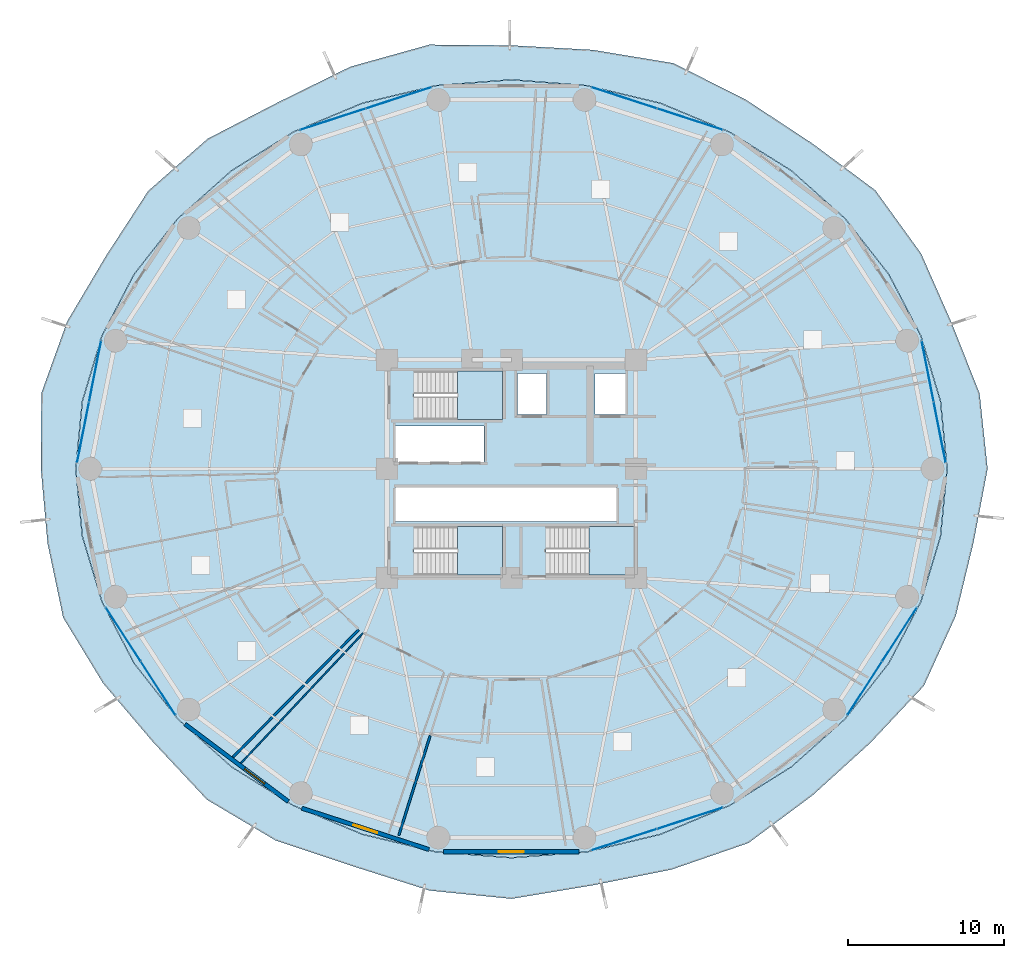
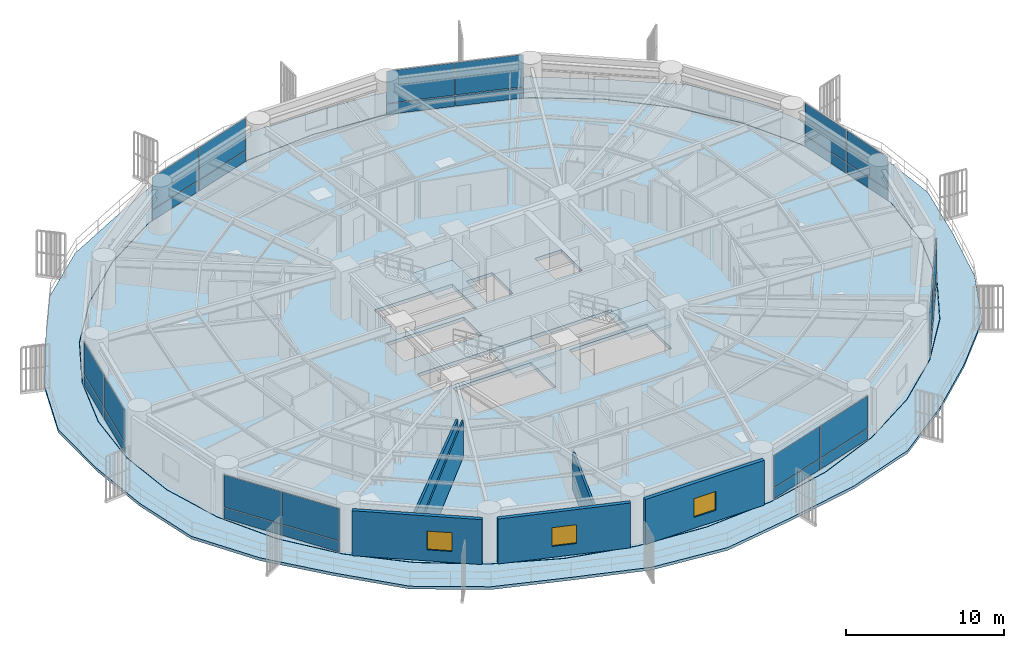
# One storey, part 22 of 33: 28 plates, 6 walls, 5 slabs, 3 windows, 3 openings, 10 elements without a shape of their own.
"""IFC4 building model written with IfcOpenShell, lengths in metres."""

from ifc_helpers import new_model, si_unit, direction, frame, frame_2d, origin, origin_2d, place, context, subcontext, project, spatial, polyline, rectangle, outline, extrude, source, transform, mapped, material, layer, layer_set, type_object, element, fill, aggregate, save


model = new_model("IFC4")

# Units and contexts
model_context = context("Model", 3, precision=1e-05, world=origin(), true_north=direction((0.0, 1.0)))
body_context = subcontext(model_context, "Body", "Model", "MODEL_VIEW")
ifc_project = project(units=[si_unit("LENGTHUNIT", "METRE"), si_unit("AREAUNIT", "SQUARE_METRE"), si_unit("VOLUMEUNIT", "CUBIC_METRE"), si_unit("PLANEANGLEUNIT", "RADIAN"), si_unit("MASSUNIT", "GRAM", prefix="KILO")], contexts=[model_context])

# Site, building, storey
site_placement = place(None, origin())
site = spatial("IfcSite", under=ifc_project, at=site_placement, CompositionType="ELEMENT")
building_placement = place(site_placement, origin())
building = spatial("IfcBuilding", under=site, at=building_placement, Name="Kelanora Arch Commons", CompositionType="ELEMENT")
storey_placement = place(building_placement, frame((0.0, 0.0, 41.25)))
storey = spatial("IfcBuildingStorey", under=building, at=storey_placement, Name="L10", CompositionType="ELEMENT", Elevation=41.25)

# Stair, slab
ifc_material_1 = material(Name="Concrete C40/50", Category="concrete")
stair_type = type_object("IfcStairType", Name="STR-DL-375", PredefinedType="HALF_TURN_STAIR", material=ifc_material_1)
stair_1_placement = place(storey_placement, origin())
stair_1 = element("IfcStair", 1, at=stair_1_placement, inside=storey, type_object=stair_type, Name="L10 ST-T1", PredefinedType="HALF_TURN_STAIR")
ifc_layer_1 = layer(ifc_material_1, 0.199951171875)
ifc_layer_set_1 = layer_set([ifc_layer_1], Name="Concrete C40/50")
slab_type_1 = type_object("IfcSlabType", Name="SLB-STAIR-LND", PredefinedType="LANDING", material=ifc_layer_set_1)
slab_1_placement = place(storey_placement, frame((0.0, 0.0, 1.675048828125)))
slab_1 = element("IfcSlab", 2, at=slab_1_placement, type_object=slab_type_1, Name="ST-T1 landing 1", PredefinedType="LANDING", context=body_context, shape_type="SweptSolid", body=[
    extrude(outline(polyline([(70.52001953125, 61.179931640625), (73.43994140625, 61.179931640625), (73.43994140625, 64.2900390625), (70.52001953125, 64.2900390625), (70.52001953125, 61.179931640625)])), origin(), (0.0, 0.0, 1.0), 0.199951171875),
])
aggregate(stair_1, [slab_1])

stair_2_placement = place(storey_placement, origin())
stair_2 = element("IfcStair", 3, at=stair_2_placement, inside=storey, type_object=stair_type, Name="L10 ST-T2", PredefinedType="HALF_TURN_STAIR")
slab_2_placement = place(storey_placement, frame((0.0, 0.0, 1.675048828125)))
slab_2 = element("IfcSlab", 4, at=slab_2_placement, type_object=slab_type_1, Name="ST-T2 landing 1", PredefinedType="LANDING", context=body_context, shape_type="SweptSolid", body=[
    extrude(outline(polyline([(79.0, 51.179931640625), (81.919921875, 51.179931640625), (81.919921875, 54.2900390625), (79.0, 54.2900390625), (79.0, 51.179931640625)])), origin(), (0.0, 0.0, 1.0), 0.199951171875),
])
aggregate(stair_2, [slab_2])

stair_3_placement = place(storey_placement, origin())
stair_3 = element("IfcStair", 5, at=stair_3_placement, inside=storey, type_object=stair_type, Name="L10 ST-T3", PredefinedType="HALF_TURN_STAIR")
slab_3_placement = place(storey_placement, frame((0.0, 0.0, 1.675048828125)))
slab_3 = element("IfcSlab", 6, at=slab_3_placement, type_object=slab_type_1, Name="ST-T3 landing 1", PredefinedType="LANDING", context=body_context, shape_type="SweptSolid", body=[
    extrude(outline(polyline([(70.52001953125, 51.179931640625), (73.43994140625, 51.179931640625), (73.43994140625, 54.2900390625), (70.52001953125, 54.2900390625), (70.52001953125, 51.179931640625)])), origin(), (0.0, 0.0, 1.0), 0.199951171875),
])
aggregate(stair_3, [slab_3])

# Slabs
ifc_layer_2 = layer(ifc_material_1, 0.260009765625)
ifc_layer_set_2 = layer_set([ifc_layer_2], Name="Concrete C40/50")
slab_type_2 = type_object("IfcSlabType", Name="SLB-TWR-TYP", PredefinedType="FLOOR", material=ifc_layer_set_2)
slab_4_placement = place(storey_placement, frame((0.0, 0.0, -0.260009765625)))
element("IfcSlab", 7, at=slab_4_placement, inside=storey, type_object=slab_type_2, Name="Tower Floor Slab L10", PredefinedType="FLOOR", context=body_context, shape_type="SweptSolid", body=[
    extrude(outline(polyline([(102.0, 58.0), (101.57470703125, 62.34130859375), (100.311279296875, 66.550537109375), (98.248779296875, 70.5), (95.44921875, 74.069580078125), (91.998046875, 77.151123046875), (88.0, 79.650634765625), (83.57666015625, 81.4921875), (78.862060546875, 82.6201171875), (74.0, 83.0), (69.137939453125, 82.6201171875), (64.42333984375, 81.4921875), (60.0, 79.650634765625), (56.001953125, 77.151123046875), (52.55078125, 74.069580078125), (49.751220703125, 70.5), (47.688720703125, 66.550537109375), (46.42529296875, 62.34130859375), (46.0, 58.0), (46.42529296875, 53.65869140625), (47.688720703125, 49.449462890625), (49.751220703125, 45.5), (52.55078125, 41.930419921875), (56.001953125, 38.848876953125), (60.0, 36.349365234375), (64.42333984375, 34.5078125), (69.137939453125, 33.3798828125), (74.0, 33.0), (78.862060546875, 33.3798828125), (83.57666015625, 34.5078125), (88.0, 36.349365234375), (91.998046875, 38.848876953125), (95.44921875, 41.930419921875), (98.248779296875, 45.5), (100.311279296875, 49.449462890625), (101.57470703125, 53.65869140625), (102.0, 58.0)]), holes=[polyline([(73.431884765625, 51.18798828125), (67.72802734375, 51.18798828125), (67.72802734375, 54.281982421875), (73.431884765625, 54.281982421875), (73.431884765625, 51.18798828125)]), polyline([(76.2080078125, 51.18798828125), (76.2080078125, 54.281982421875), (81.912109375, 54.281982421875), (81.912109375, 51.18798828125), (76.2080078125, 51.18798828125)]), polyline([(66.550048828125, 54.60009765625), (66.550048828125, 56.800048828125), (80.75, 56.800048828125), (80.75, 54.60009765625), (66.550048828125, 54.60009765625)]), polyline([(66.550048828125, 58.449951171875), (66.550048828125, 60.75), (72.25, 60.75), (72.25, 58.449951171875), (66.550048828125, 58.449951171875)]), polyline([(67.72802734375, 61.18798828125), (67.72802734375, 64.281982421875), (73.431884765625, 64.281982421875), (73.431884765625, 61.18798828125), (67.72802734375, 61.18798828125)]), polyline([(74.3798828125, 61.47998046875), (74.3798828125, 64.1201171875), (76.260009765625, 64.1201171875), (76.260009765625, 61.47998046875), (74.3798828125, 61.47998046875)]), polyline([(79.3798828125, 61.47998046875), (79.3798828125, 64.1201171875), (81.320068359375, 64.1201171875), (81.320068359375, 61.47998046875), (79.3798828125, 61.47998046875)])]), origin(), (0.0, 0.0, 1.0), 0.260009765625),
])
ifc_layer_3 = layer(ifc_material_1, 0.219970703125)
ifc_layer_set_3 = layer_set([ifc_layer_3], Name="Concrete C40/50")
slab_type_3 = type_object("IfcSlabType", Name="SLB-WAVE-BAL", PredefinedType="FLOOR", material=ifc_layer_set_3)
slab_5_placement = place(storey_placement, frame((0.0, 0.0, -0.219970703125)))
element("IfcSlab", 8, at=slab_5_placement, inside=storey, type_object=slab_type_3, Name="Sinusoidal Wave Balcony Slab L10", PredefinedType="FLOOR", context=body_context, shape_type="SweptSolid", body=[
    extrude(outline(polyline([(104.612548828125, 58.0), (104.098388671875, 62.839599609375), (102.30859375, 67.364501953125), (100.332275390625, 71.84716796875), (97.3984375, 75.901611328125), (93.327880859375, 78.92626953125), (89.07080078125, 81.7275390625), (84.414794921875, 84.072021484375), (79.2255859375, 84.928466796875), (74.0, 85.218017578125), (68.7216796875, 85.2626953125), (63.656494140625, 83.85205078125), (59.01171875, 81.567626953125), (54.45947265625, 79.2099609375), (50.64697265625, 75.85888671875), (47.9296875, 71.677978515625), (45.43603515625, 67.46875), (43.78076171875, 62.863525390625), (43.74755859375, 58.0), (44.17626953125, 53.214599609375), (45.1806640625, 48.42724609375), (47.74951171875, 44.20556640625), (50.954833984375, 40.430419921875), (54.414794921875, 36.73046875), (58.841552734375, 34.10205078125), (63.75830078125, 32.460693359375), (68.74462890625, 30.88232421875), (74.0, 30.35302734375), (79.20263671875, 31.21630859375), (84.313232421875, 32.240478515625), (89.240966796875, 33.942138671875), (93.37255859375, 37.01416015625), (97.0908203125, 40.3876953125), (100.51220703125, 44.036376953125), (102.56396484375, 48.53125), (103.702880859375, 53.238525390625), (104.612548828125, 58.0)]), holes=[polyline([(101.59423828125, 53.6552734375), (100.330078125, 49.442626953125), (98.26611328125, 45.489990234375), (95.464599609375, 41.91748046875), (92.010986328125, 38.83349609375), (88.010009765625, 36.33203125), (83.58349609375, 34.489013671875), (78.865478515625, 33.360107421875), (74.0, 32.97998046875), (69.134521484375, 33.360107421875), (64.41650390625, 34.489013671875), (59.989990234375, 36.33203125), (55.989013671875, 38.83349609375), (52.535400390625, 41.91748046875), (49.73388671875, 45.489990234375), (47.669921875, 49.442626953125), (46.40576171875, 53.6552734375), (45.97998046875, 58.0), (46.40576171875, 62.3447265625), (47.669921875, 66.557373046875), (49.73388671875, 70.510009765625), (52.535400390625, 74.08251953125), (55.989013671875, 77.16650390625), (59.989990234375, 79.66796875), (64.41650390625, 81.510986328125), (69.134521484375, 82.639892578125), (74.0, 83.02001953125), (78.865478515625, 82.639892578125), (83.58349609375, 81.510986328125), (88.010009765625, 79.66796875), (92.010986328125, 77.16650390625), (95.464599609375, 74.08251953125), (98.26611328125, 70.510009765625), (100.330078125, 66.557373046875), (101.59423828125, 62.3447265625), (102.02001953125, 58.0), (101.59423828125, 53.6552734375)])]), origin(), (0.0, 0.0, 1.0), 0.219970703125),
])

# Curtain wall, plates
ifc_material_2 = material(Name="Terracotta ceramic-fritted low-E glass and aluminium", Category="masonry")
ifc_layer_4 = layer(ifc_material_2, 0.159912109375)
ifc_layer_set_4 = layer_set([ifc_layer_4], Name="Terracotta ceramic-fritted low-E glass and aluminium")
curtain_wall_type = type_object("IfcCurtainWallType", Name="CW-SYS-01", PredefinedType="NOTDEFINED", material=ifc_layer_set_4)
curtain_wall_1_placement = place(storey_placement, origin())
curtain_wall_1 = element("IfcCurtainWall", 9, at=curtain_wall_1_placement, inside=storey, type_object=curtain_wall_type, Name="Unitised Curtain Wall L10-B00", PredefinedType="NOTDEFINED")
ifc_material_3 = material(Name="Terracotta ceramic-fritted double glazing", Category="masonry")
ifc_layer_5 = layer(ifc_material_3, 0.028076171875)
ifc_layer_set_5 = layer_set([ifc_layer_5], Name="Terracotta ceramic-fritted double glazing")
plate_type = type_object("IfcPlateType", Name="CWP-FRIT", PredefinedType="CURTAIN_PANEL", material=ifc_layer_set_5)
shared_shape_1 = source(origin(), body_context, "Body", "SweptSolid", [
    extrude(rectangle(XDim=3.9482421875, YDim=0.028076171875, at=origin_2d()), origin(), (0.0, 0.0, 1.0), 0.81005859375),
])
plate_1_placement = place(storey_placement, frame((101.536865234375, 60.34521484375, 0.06005859375), z_axis=(0.0, 0.0, 1.0), x_axis=(-0.193744048498, 0.981052110579, 0.0)))
plate_1 = element("IfcPlate", 10, at=plate_1_placement, type_object=plate_type, Name="CW-01 panel 1.1", PredefinedType="CURTAIN_PANEL", context=body_context, shape_type="MappedRepresentation", body=[
    mapped(shared_shape_1, transform((0.0, 0.0, 0.0), scale=1.0)),
])
plate_2_placement = place(storey_placement, frame((100.76025390625, 64.277587890625, 0.06005859375), z_axis=(0.0, 0.0, 1.0), x_axis=(-0.193744048498, 0.981052110579, 0.0)))
plate_2 = element("IfcPlate", 11, at=plate_2_placement, type_object=plate_type, Name="CW-01 panel 2.1", PredefinedType="CURTAIN_PANEL", context=body_context, shape_type="MappedRepresentation", body=[
    mapped(shared_shape_1, transform((0.0, 0.0, 0.0), scale=1.0)),
])

curtain_wall_2_placement = place(storey_placement, origin())
curtain_wall_2 = element("IfcCurtainWall", 12, at=curtain_wall_2_placement, inside=storey, type_object=curtain_wall_type, Name="Unitised Curtain Wall L10-B08", PredefinedType="NOTDEFINED")
plate_3_placement = place(storey_placement, frame((47.23974609375, 64.277587890625, 0.06005859375), z_axis=(0.0, 0.0, 1.0), x_axis=(-0.193744048498, -0.981052110579, 0.0)))
plate_3 = element("IfcPlate", 13, at=plate_3_placement, type_object=plate_type, Name="CW-01 panel 1.1", PredefinedType="CURTAIN_PANEL", context=body_context, shape_type="MappedRepresentation", body=[
    mapped(shared_shape_1, transform((0.0, 0.0, 0.0), scale=1.0)),
])
plate_4_placement = place(storey_placement, frame((46.463134765625, 60.34521484375, 0.06005859375), z_axis=(0.0, 0.0, 1.0), x_axis=(-0.193744048498, -0.981052110579, 0.0)))
plate_4 = element("IfcPlate", 14, at=plate_4_placement, type_object=plate_type, Name="CW-01 panel 2.1", PredefinedType="CURTAIN_PANEL", context=body_context, shape_type="MappedRepresentation", body=[
    mapped(shared_shape_1, transform((0.0, 0.0, 0.0), scale=1.0)),
])

# Plate
shared_shape_2 = source(origin(), body_context, "Body", "SweptSolid", [
    extrude(rectangle(XDim=3.9482421875, YDim=0.028076171875, at=origin_2d()), origin(), (0.0, 0.0, 1.0), 2.485107421875),
])
plate_5_placement = place(storey_placement, frame((101.536865234375, 60.34521484375, 0.93017578125), z_axis=(0.0, 0.0, 1.0), x_axis=(-0.193744048498, 0.981052110579, 0.0)))
plate_5 = element("IfcPlate", 15, at=plate_5_placement, type_object=plate_type, Name="CW-01 panel 1.2", PredefinedType="CURTAIN_PANEL", context=body_context, shape_type="MappedRepresentation", body=[
    mapped(shared_shape_2, transform((0.0, 0.0, 0.0), scale=1.0)),
])

plate_6_placement = place(storey_placement, frame((100.76025390625, 64.277587890625, 0.93017578125), z_axis=(0.0, 0.0, 1.0), x_axis=(-0.193744048498, 0.981052110579, 0.0)))
plate_6 = element("IfcPlate", 16, at=plate_6_placement, type_object=plate_type, Name="CW-01 panel 2.2", PredefinedType="CURTAIN_PANEL", context=body_context, shape_type="MappedRepresentation", body=[
    mapped(shared_shape_2, transform((0.0, 0.0, 0.0), scale=1.0)),
])

aggregate(curtain_wall_1, [plate_1, plate_5, plate_2, plate_6])

plate_7_placement = place(storey_placement, frame((47.23974609375, 64.277587890625, 0.93017578125), z_axis=(0.0, 0.0, 1.0), x_axis=(-0.193744048498, -0.981052110579, 0.0)))
plate_7 = element("IfcPlate", 17, at=plate_7_placement, type_object=plate_type, Name="CW-01 panel 1.2", PredefinedType="CURTAIN_PANEL", context=body_context, shape_type="MappedRepresentation", body=[
    mapped(shared_shape_2, transform((0.0, 0.0, 0.0), scale=1.0)),
])

plate_8_placement = place(storey_placement, frame((46.463134765625, 60.34521484375, 0.93017578125), z_axis=(0.0, 0.0, 1.0), x_axis=(-0.193744048498, -0.981052110579, 0.0)))
plate_8 = element("IfcPlate", 18, at=plate_8_placement, type_object=plate_type, Name="CW-01 panel 2.2", PredefinedType="CURTAIN_PANEL", context=body_context, shape_type="MappedRepresentation", body=[
    mapped(shared_shape_2, transform((0.0, 0.0, 0.0), scale=1.0)),
])

aggregate(curtain_wall_2, [plate_3, plate_7, plate_4, plate_8])

# Curtain wall, plates
curtain_wall_3_placement = place(storey_placement, origin())
curtain_wall_3 = element("IfcCurtainWall", 19, at=curtain_wall_3_placement, inside=storey, type_object=curtain_wall_type, Name="Unitised Curtain Wall L10-B03", PredefinedType="NOTDEFINED")
shared_shape_3 = source(origin(), body_context, "Body", "SweptSolid", [
    extrude(rectangle(XDim=4.39453125, YDim=0.028076171875, at=origin_2d()), origin(), (0.0, 0.0, 1.0), 0.81005859375),
])
plate_9_placement = place(storey_placement, frame((85.4892578125, 80.466552734375, 0.06005859375), z_axis=(0.0, 0.0, 1.0), x_axis=(-0.951043326793, 0.30905758454, 0.0)))
plate_9 = element("IfcPlate", 20, at=plate_9_placement, type_object=plate_type, Name="CW-01 panel 1.1", PredefinedType="CURTAIN_PANEL", context=body_context, shape_type="MappedRepresentation", body=[
    mapped(shared_shape_3, transform((0.0, 0.0, 0.0), scale=1.0)),
])
plate_10_placement = place(storey_placement, frame((81.252685546875, 81.84326171875, 0.06005859375), z_axis=(0.0, 0.0, 1.0), x_axis=(-0.951043326793, 0.30905758454, 0.0)))
plate_10 = element("IfcPlate", 21, at=plate_10_placement, type_object=plate_type, Name="CW-01 panel 2.1", PredefinedType="CURTAIN_PANEL", context=body_context, shape_type="MappedRepresentation", body=[
    mapped(shared_shape_3, transform((0.0, 0.0, 0.0), scale=1.0)),
])

curtain_wall_4_placement = place(storey_placement, origin())
curtain_wall_4 = element("IfcCurtainWall", 22, at=curtain_wall_4_placement, inside=storey, type_object=curtain_wall_type, Name="Unitised Curtain Wall L10-B05", PredefinedType="NOTDEFINED")
plate_11_placement = place(storey_placement, frame((66.747314453125, 81.84326171875, 0.06005859375), z_axis=(0.0, 0.0, 1.0), x_axis=(-0.951043326793, -0.30905758454, 0.0)))
plate_11 = element("IfcPlate", 23, at=plate_11_placement, type_object=plate_type, Name="CW-01 panel 1.1", PredefinedType="CURTAIN_PANEL", context=body_context, shape_type="MappedRepresentation", body=[
    mapped(shared_shape_3, transform((0.0, 0.0, 0.0), scale=1.0)),
])
plate_12_placement = place(storey_placement, frame((62.5107421875, 80.466552734375, 0.06005859375), z_axis=(0.0, 0.0, 1.0), x_axis=(-0.951043326793, -0.30905758454, 0.0)))
plate_12 = element("IfcPlate", 24, at=plate_12_placement, type_object=plate_type, Name="CW-01 panel 2.1", PredefinedType="CURTAIN_PANEL", context=body_context, shape_type="MappedRepresentation", body=[
    mapped(shared_shape_3, transform((0.0, 0.0, 0.0), scale=1.0)),
])

curtain_wall_5_placement = place(storey_placement, origin())
curtain_wall_5 = element("IfcCurtainWall", 25, at=curtain_wall_5_placement, inside=storey, type_object=curtain_wall_type, Name="Unitised Curtain Wall L10-B14", PredefinedType="NOTDEFINED")
plate_13_placement = place(storey_placement, frame((81.252685546875, 34.15673828125, 0.06005859375), z_axis=(0.0, 0.0, 1.0), x_axis=(0.951043326793, 0.30905758454, 0.0)))
plate_13 = element("IfcPlate", 26, at=plate_13_placement, type_object=plate_type, Name="CW-01 panel 1.1", PredefinedType="CURTAIN_PANEL", context=body_context, shape_type="MappedRepresentation", body=[
    mapped(shared_shape_3, transform((0.0, 0.0, 0.0), scale=1.0)),
])
plate_14_placement = place(storey_placement, frame((85.4892578125, 35.533447265625, 0.06005859375), z_axis=(0.0, 0.0, 1.0), x_axis=(0.951043326793, 0.30905758454, 0.0)))
plate_14 = element("IfcPlate", 27, at=plate_14_placement, type_object=plate_type, Name="CW-01 panel 2.1", PredefinedType="CURTAIN_PANEL", context=body_context, shape_type="MappedRepresentation", body=[
    mapped(shared_shape_3, transform((0.0, 0.0, 0.0), scale=1.0)),
])

# Plate
shared_shape_4 = source(origin(), body_context, "Body", "SweptSolid", [
    extrude(rectangle(XDim=4.39453125, YDim=0.028076171875, at=origin_2d()), origin(), (0.0, 0.0, 1.0), 2.485107421875),
])
plate_15_placement = place(storey_placement, frame((85.4892578125, 80.466552734375, 0.93017578125), z_axis=(0.0, 0.0, 1.0), x_axis=(-0.951043326793, 0.30905758454, 0.0)))
plate_15 = element("IfcPlate", 28, at=plate_15_placement, type_object=plate_type, Name="CW-01 panel 1.2", PredefinedType="CURTAIN_PANEL", context=body_context, shape_type="MappedRepresentation", body=[
    mapped(shared_shape_4, transform((0.0, 0.0, 0.0), scale=1.0)),
])

plate_16_placement = place(storey_placement, frame((81.252685546875, 81.84326171875, 0.93017578125), z_axis=(0.0, 0.0, 1.0), x_axis=(-0.951043326793, 0.30905758454, 0.0)))
plate_16 = element("IfcPlate", 29, at=plate_16_placement, type_object=plate_type, Name="CW-01 panel 2.2", PredefinedType="CURTAIN_PANEL", context=body_context, shape_type="MappedRepresentation", body=[
    mapped(shared_shape_4, transform((0.0, 0.0, 0.0), scale=1.0)),
])

aggregate(curtain_wall_3, [plate_9, plate_15, plate_10, plate_16])

plate_17_placement = place(storey_placement, frame((66.747314453125, 81.84326171875, 0.93017578125), z_axis=(0.0, 0.0, 1.0), x_axis=(-0.951043326793, -0.30905758454, 0.0)))
plate_17 = element("IfcPlate", 30, at=plate_17_placement, type_object=plate_type, Name="CW-01 panel 1.2", PredefinedType="CURTAIN_PANEL", context=body_context, shape_type="MappedRepresentation", body=[
    mapped(shared_shape_4, transform((0.0, 0.0, 0.0), scale=1.0)),
])

plate_18_placement = place(storey_placement, frame((62.5107421875, 80.466552734375, 0.93017578125), z_axis=(0.0, 0.0, 1.0), x_axis=(-0.951043326793, -0.30905758454, 0.0)))
plate_18 = element("IfcPlate", 31, at=plate_18_placement, type_object=plate_type, Name="CW-01 panel 2.2", PredefinedType="CURTAIN_PANEL", context=body_context, shape_type="MappedRepresentation", body=[
    mapped(shared_shape_4, transform((0.0, 0.0, 0.0), scale=1.0)),
])

aggregate(curtain_wall_4, [plate_11, plate_17, plate_12, plate_18])

plate_19_placement = place(storey_placement, frame((81.252685546875, 34.15673828125, 0.93017578125), z_axis=(0.0, 0.0, 1.0), x_axis=(0.951043326793, 0.30905758454, 0.0)))
plate_19 = element("IfcPlate", 32, at=plate_19_placement, type_object=plate_type, Name="CW-01 panel 1.2", PredefinedType="CURTAIN_PANEL", context=body_context, shape_type="MappedRepresentation", body=[
    mapped(shared_shape_4, transform((0.0, 0.0, 0.0), scale=1.0)),
])

plate_20_placement = place(storey_placement, frame((85.4892578125, 35.533447265625, 0.93017578125), z_axis=(0.0, 0.0, 1.0), x_axis=(0.951043326793, 0.30905758454, 0.0)))
plate_20 = element("IfcPlate", 33, at=plate_20_placement, type_object=plate_type, Name="CW-01 panel 2.2", PredefinedType="CURTAIN_PANEL", context=body_context, shape_type="MappedRepresentation", body=[
    mapped(shared_shape_4, transform((0.0, 0.0, 0.0), scale=1.0)),
])

aggregate(curtain_wall_5, [plate_13, plate_19, plate_14, plate_20])

# Curtain wall, plates
curtain_wall_6_placement = place(storey_placement, origin())
curtain_wall_6 = element("IfcCurtainWall", 34, at=curtain_wall_6_placement, inside=storey, type_object=curtain_wall_type, Name="Unitised Curtain Wall L10-B10", PredefinedType="NOTDEFINED")
shared_shape_5 = source(origin(), body_context, "Body", "SweptSolid", [
    extrude(rectangle(XDim=4.06787109375, YDim=0.028076171875, at=origin_2d()), origin(), (0.0, 0.0, 1.0), 0.81005859375),
])
plate_21_placement = place(storey_placement, frame((49.04833984375, 47.346435546875, 0.06005859375), z_axis=(0.0, 0.0, 1.0), x_axis=(0.543004441812, -0.83972982332, 0.0)))
plate_21 = element("IfcPlate", 35, at=plate_21_placement, type_object=plate_type, Name="CW-01 panel 1.1", PredefinedType="CURTAIN_PANEL", context=body_context, shape_type="MappedRepresentation", body=[
    mapped(shared_shape_5, transform((0.0, 0.0, 0.0), scale=1.0)),
])
plate_22_placement = place(storey_placement, frame((51.289794921875, 43.880126953125, 0.06005859375), z_axis=(0.0, 0.0, 1.0), x_axis=(0.543004441812, -0.83972982332, 0.0)))
plate_22 = element("IfcPlate", 36, at=plate_22_placement, type_object=plate_type, Name="CW-01 panel 2.1", PredefinedType="CURTAIN_PANEL", context=body_context, shape_type="MappedRepresentation", body=[
    mapped(shared_shape_5, transform((0.0, 0.0, 0.0), scale=1.0)),
])

curtain_wall_7_placement = place(storey_placement, origin())
curtain_wall_7 = element("IfcCurtainWall", 37, at=curtain_wall_7_placement, inside=storey, type_object=curtain_wall_type, Name="Unitised Curtain Wall L10-B16", PredefinedType="NOTDEFINED")
plate_23_placement = place(storey_placement, frame((96.710205078125, 43.880126953125, 0.06005859375), z_axis=(0.0, 0.0, 1.0), x_axis=(0.543004441812, 0.83972982332, 0.0)))
plate_23 = element("IfcPlate", 38, at=plate_23_placement, type_object=plate_type, Name="CW-01 panel 1.1", PredefinedType="CURTAIN_PANEL", context=body_context, shape_type="MappedRepresentation", body=[
    mapped(shared_shape_5, transform((0.0, 0.0, 0.0), scale=1.0)),
])
plate_24_placement = place(storey_placement, frame((98.95166015625, 47.346435546875, 0.06005859375), z_axis=(0.0, 0.0, 1.0), x_axis=(0.543004441812, 0.83972982332, 0.0)))
plate_24 = element("IfcPlate", 39, at=plate_24_placement, type_object=plate_type, Name="CW-01 panel 2.1", PredefinedType="CURTAIN_PANEL", context=body_context, shape_type="MappedRepresentation", body=[
    mapped(shared_shape_5, transform((0.0, 0.0, 0.0), scale=1.0)),
])

# Plate
shared_shape_6 = source(origin(), body_context, "Body", "SweptSolid", [
    extrude(rectangle(XDim=4.06787109375, YDim=0.028076171875, at=origin_2d()), origin(), (0.0, 0.0, 1.0), 2.485107421875),
])
plate_25_placement = place(storey_placement, frame((49.04833984375, 47.346435546875, 0.93017578125), z_axis=(0.0, 0.0, 1.0), x_axis=(0.543004441812, -0.83972982332, 0.0)))
plate_25 = element("IfcPlate", 40, at=plate_25_placement, type_object=plate_type, Name="CW-01 panel 1.2", PredefinedType="CURTAIN_PANEL", context=body_context, shape_type="MappedRepresentation", body=[
    mapped(shared_shape_6, transform((0.0, 0.0, 0.0), scale=1.0)),
])

plate_26_placement = place(storey_placement, frame((51.289794921875, 43.880126953125, 0.93017578125), z_axis=(0.0, 0.0, 1.0), x_axis=(0.543004441812, -0.83972982332, 0.0)))
plate_26 = element("IfcPlate", 41, at=plate_26_placement, type_object=plate_type, Name="CW-01 panel 2.2", PredefinedType="CURTAIN_PANEL", context=body_context, shape_type="MappedRepresentation", body=[
    mapped(shared_shape_6, transform((0.0, 0.0, 0.0), scale=1.0)),
])

aggregate(curtain_wall_6, [plate_21, plate_25, plate_22, plate_26])

plate_27_placement = place(storey_placement, frame((96.710205078125, 43.880126953125, 0.93017578125), z_axis=(0.0, 0.0, 1.0), x_axis=(0.543004441812, 0.83972982332, 0.0)))
plate_27 = element("IfcPlate", 42, at=plate_27_placement, type_object=plate_type, Name="CW-01 panel 1.2", PredefinedType="CURTAIN_PANEL", context=body_context, shape_type="MappedRepresentation", body=[
    mapped(shared_shape_6, transform((0.0, 0.0, 0.0), scale=1.0)),
])

plate_28_placement = place(storey_placement, frame((98.95166015625, 47.346435546875, 0.93017578125), z_axis=(0.0, 0.0, 1.0), x_axis=(0.543004441812, 0.83972982332, 0.0)))
plate_28 = element("IfcPlate", 43, at=plate_28_placement, type_object=plate_type, Name="CW-01 panel 2.2", PredefinedType="CURTAIN_PANEL", context=body_context, shape_type="MappedRepresentation", body=[
    mapped(shared_shape_6, transform((0.0, 0.0, 0.0), scale=1.0)),
])

aggregate(curtain_wall_7, [plate_23, plate_27, plate_24, plate_28])

# Walls
ifc_material_4 = material(Name="Autoclaved aerated concrete blockwork with fire plaster", Category="masonry")
ifc_layer_6 = layer(ifc_material_4, 0.14990234375)
ifc_layer_set_6 = layer_set([ifc_layer_6], Name="Autoclaved aerated concrete blockwork with fire plaster")
wall_type_1 = type_object("IfcWallType", Name="W-COMP-150", PredefinedType="PARTITIONING", material=ifc_layer_set_6)
wall_1_placement = place(storey_placement, frame((64.1708984375, 47.638427734375, 0.0), z_axis=(0.0, 0.0, 1.0), x_axis=(-0.702465266663, -0.711718026421, 0.0)))
element("IfcWall", 44, at=wall_1_placement, inside=storey, type_object=wall_type_1, Name="Co-Living Studio L10-09 Enclosure Partition 2", PredefinedType="PARTITIONING", context=body_context, shape_type="SweptSolid", body=[
    extrude(rectangle(XDim=11.477783203125, YDim=0.14990234375, at=frame_2d((5.73876953125, 0.0))), origin(), (0.0, 0.0, 1.0), 2.875),
])
wall_2_placement = place(storey_placement, frame((66.760986328125, 34.42626953125, 0.0), z_axis=(0.0, 0.0, 1.0), x_axis=(0.299536567827, 0.954084820409, 0.0)))
element("IfcWall", 45, at=wall_2_placement, inside=storey, type_object=wall_type_1, Name="Co-Living Studio L10-11 Enclosure Partition 5", PredefinedType="PARTITIONING", context=body_context, shape_type="SweptSolid", body=[
    extrude(rectangle(XDim=6.72021484375, YDim=0.14990234375, at=frame_2d((3.360107421875, 0.0))), origin(), (0.0, 0.0, 1.0), 2.875),
])

# Wall, opening, window
ifc_material_5 = material(Name="Precast concrete C40/50 with terracotta rainscreen", Category="masonry")
ifc_layer_7 = layer(ifc_material_5, 0.260009765625)
ifc_layer_set_7 = layer_set([ifc_layer_7], Name="Precast concrete C40/50 with terracotta rainscreen")
wall_type_2 = type_object("IfcWallType", Name="W-EXT-TC", PredefinedType="SOLIDWALL", material=ifc_layer_set_7)
wall_3_placement = place(storey_placement, frame((53.01611328125, 41.581787109375, 0.0), z_axis=(0.0, 0.0, 1.0), x_axis=(0.80030733173, -0.599590005569, 0.0)))
wall_3 = element("IfcWall", 46, at=wall_3_placement, inside=storey, type_object=wall_type_2, Name="Terracotta Exterior Wall L10-B11", PredefinedType="SOLIDWALL", context=body_context, shape_type="SweptSolid", body=[
    extrude(rectangle(XDim=8.29052734375, YDim=0.260009765625, at=frame_2d((4.145263671875, 0.0))), origin(), (0.0, 0.0, 1.0), 3.47509765625),
])
opening_1_placement = place(wall_3_placement, frame((4.784912109375, 0.0, 0.85009765625)))
opening_1 = element("IfcOpeningElement", 47, at=opening_1_placement, cuts=wall_3, Name="Opening WN-01", PredefinedType="OPENING", context=body_context, shape_type="SweptSolid", body=[
    extrude(rectangle(XDim=1.60009765625, YDim=1.449951171875, at=frame_2d((0.800048828125, 0.72509765625))), frame((0.0, 0.14013671875, 0.0), z_axis=(0.0, -1.0, 0.0), x_axis=(1.0, 0.0, 0.0)), (0.0, 0.0, 1.0), 0.280029296875),
])
ifc_material_6 = material(Name="Terracotta-anodised aluminium frame with operable low-E glazing", Category="masonry")
window_type = type_object("IfcWindowType", Name="WIN-CL-18", PartitioningType="DOUBLE_PANEL_VERTICAL", PredefinedType="WINDOW", material=ifc_material_6)
window_1_placement = place(opening_1_placement, origin())
window_1 = element("IfcWindow", 48, at=window_1_placement, inside=storey, type_object=window_type, Name="Co-Living Operable Window L10-B11", OverallHeight=1.449951171875, OverallWidth=1.60009765625, PartitioningType="SINGLE_PANEL", PredefinedType="WINDOW", context=body_context, shape_type="SweptSolid", body=[
    extrude(rectangle(XDim=1.60009765625, YDim=1.449951171875, at=frame_2d((0.800048828125, 0.72509765625))), frame((0.0, 0.030029296875, 0.0), z_axis=(0.0, -1.0, 0.0), x_axis=(1.0, 0.0, 0.0)), (0.0, 0.0, 1.0), 0.06005859375),
])
fill(opening_1, window_1)

wall_4_placement = place(storey_placement, frame((60.5263671875, 36.178466796875, 0.0), z_axis=(0.0, 0.0, 1.0), x_axis=(0.951039914291, -0.309068085421, 0.0)))
wall_4 = element("IfcWall", 49, at=wall_4_placement, inside=storey, type_object=wall_type_2, Name="Terracotta Exterior Wall L10-B12", PredefinedType="SOLIDWALL", context=body_context, shape_type="SweptSolid", body=[
    extrude(rectangle(XDim=8.593505859375, YDim=0.260009765625, at=frame_2d((4.296875, 0.0))), origin(), (0.0, 0.0, 1.0), 3.47509765625),
])
opening_2_placement = place(wall_4_placement, frame((3.4970703125, 0.0, 0.85009765625)))
opening_2 = element("IfcOpeningElement", 50, at=opening_2_placement, cuts=wall_4, Name="Opening WN-01", PredefinedType="OPENING", context=body_context, shape_type="SweptSolid", body=[
    extrude(rectangle(XDim=1.60009765625, YDim=1.449951171875, at=frame_2d((0.800048828125, 0.72509765625))), frame((0.0, 0.14013671875, 0.0), z_axis=(0.0, -1.0, 0.0), x_axis=(1.0, 0.0, 0.0)), (0.0, 0.0, 1.0), 0.280029296875),
])
window_2_placement = place(opening_2_placement, origin())
window_2 = element("IfcWindow", 51, at=window_2_placement, inside=storey, type_object=window_type, Name="Co-Living Operable Window L10-B12", OverallHeight=1.449951171875, OverallWidth=1.60009765625, PartitioningType="SINGLE_PANEL", PredefinedType="WINDOW", context=body_context, shape_type="SweptSolid", body=[
    extrude(rectangle(XDim=1.60009765625, YDim=1.449951171875, at=frame_2d((0.800048828125, 0.72509765625))), frame((0.0, 0.030029296875, 0.0), z_axis=(0.0, -1.0, 0.0), x_axis=(1.0, 0.0, 0.0)), (0.0, 0.0, 1.0), 0.06005859375),
])
fill(opening_2, window_2)

wall_5_placement = place(storey_placement, frame((69.64404296875, 33.3798828125, 0.0), z_axis=(0.0, 0.0, 1.0), x_axis=(1.0, 0.0, 0.0)))
wall_5 = element("IfcWall", 52, at=wall_5_placement, inside=storey, type_object=wall_type_2, Name="Terracotta Exterior Wall L10-B13", PredefinedType="SOLIDWALL", context=body_context, shape_type="SweptSolid", body=[
    extrude(rectangle(XDim=8.7119140625, YDim=0.260009765625, at=frame_2d((4.35595703125, 0.0))), origin(), (0.0, 0.0, 1.0), 3.47509765625),
])
opening_3_placement = place(wall_5_placement, frame((3.555908203125, 0.0, 0.85009765625)))
opening_3 = element("IfcOpeningElement", 53, at=opening_3_placement, cuts=wall_5, Name="Opening WN-01", PredefinedType="OPENING", context=body_context, shape_type="SweptSolid", body=[
    extrude(rectangle(XDim=1.60009765625, YDim=1.449951171875, at=frame_2d((0.800048828125, 0.72509765625))), frame((0.0, 0.14013671875, 0.0), z_axis=(0.0, -1.0, 0.0), x_axis=(1.0, 0.0, 0.0)), (0.0, 0.0, 1.0), 0.280029296875),
])
window_3_placement = place(opening_3_placement, origin())
window_3 = element("IfcWindow", 54, at=window_3_placement, inside=storey, type_object=window_type, Name="Co-Living Operable Window L10-B13", OverallHeight=1.449951171875, OverallWidth=1.60009765625, PartitioningType="SINGLE_PANEL", PredefinedType="WINDOW", context=body_context, shape_type="SweptSolid", body=[
    extrude(rectangle(XDim=1.60009765625, YDim=1.449951171875, at=frame_2d((0.800048828125, 0.72509765625))), frame((0.0, 0.030029296875, 0.0), z_axis=(0.0, -1.0, 0.0), x_axis=(1.0, 0.0, 0.0)), (0.0, 0.0, 1.0), 0.06005859375),
])
fill(opening_3, window_3)

# Wall
ifc_material_7 = material(Name="Lightweight fire-rated acoustic stud partition")
ifc_layer_8 = layer(ifc_material_7, 0.10009765625)
ifc_layer_set_8 = layer_set([ifc_layer_8], Name="Lightweight fire-rated acoustic stud partition")
wall_type_3 = type_object("IfcWallType", Name="W-PART-100", PredefinedType="PARTITIONING", material=ifc_layer_set_8)
wall_6_placement = place(storey_placement, frame((56.622314453125, 39.085205078125, 0.0), z_axis=(0.0, 0.0, 1.0), x_axis=(0.684539394854, 0.728975868526, 0.0)))
element("IfcWall", 55, at=wall_6_placement, inside=storey, type_object=wall_type_3, Name="Social Sky Lounge L10-10 Enclosure Partition 4", PredefinedType="PARTITIONING", context=body_context, shape_type="SweptSolid", body=[
    extrude(rectangle(XDim=11.438720703125, YDim=0.10009765625, at=frame_2d((5.71923828125, 0.0))), origin(), (0.0, 0.0, 1.0), 2.875),
])

save(model, "model.ifc")
